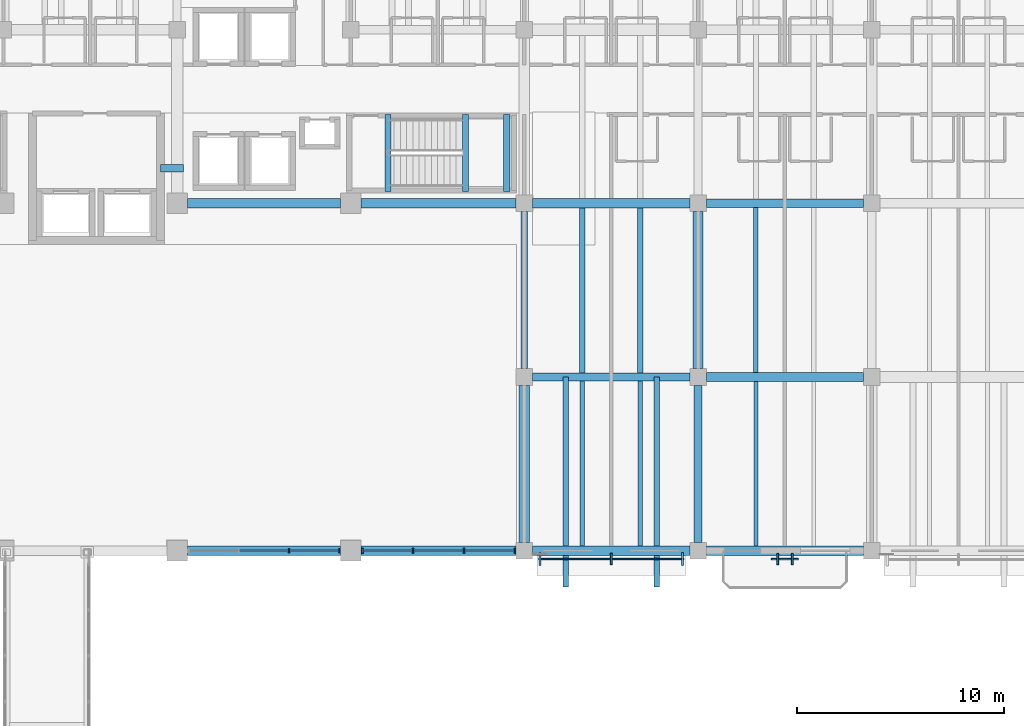
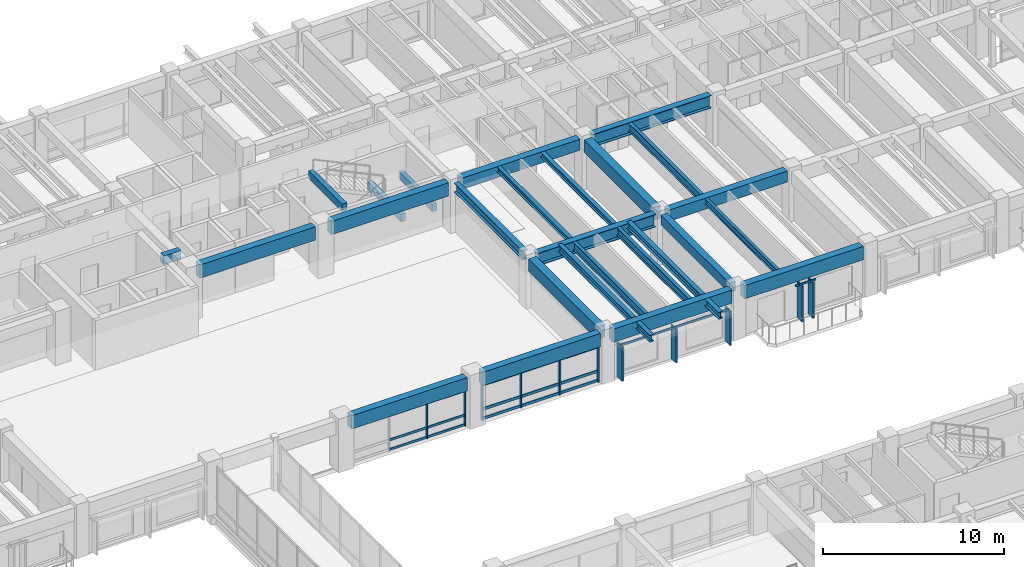
# One storey, part 30 of 118: 28 members, 26 beams, 4 elements without a shape of their own.
"""IFC4 building model written with IfcOpenShell, lengths in metres."""

import ifcopenshell
import ifcopenshell.guid

model = None  # the IFC model being written
_history = None  # IfcOwnerHistory: only IFC2X3 demands one
_inside = {}  # id of a spatial element -> (the spatial element, [elements in it])
_under = {}  # id of a project, library or spatial element -> (it, [spatial elements below it])
_declared = {}  # id of a project -> (the project, [libraries it declares])
_typed = {}  # id of a type object -> (the type object, [elements of that type])
_made_of = {}  # id of a material, layer set ... -> (it, [elements and type objects made of it])


def new_model(schema):
    """Start an empty IFC model of exactly this schema.

    Asked for "IFC4X3", IfcOpenShell would pick the latest addendum, in which some entities
    have other attributes; the version numbers below select the first issue.
    IFC2X3 requires an IfcOwnerHistory on every rooted entity: one is made here for all.
    """
    global model, _history
    if schema == "IFC4X3":
        model = ifcopenshell.file(schema_version=(4, 3, 0, 0))
    else:
        model = ifcopenshell.file(schema=schema)
    _inside.clear()
    _under.clear()
    _declared.clear()
    _typed.clear()
    _made_of.clear()
    _history = None
    if model.schema == "IFC2X3":
        org = make("IfcOrganization", Name="unknown")
        user = make(
            "IfcPersonAndOrganization",
            ThePerson=make("IfcPerson", FamilyName="unknown"),
            TheOrganization=org,
        )
        app = make(
            "IfcApplication",
            ApplicationDeveloper=org,
            Version="unknown",
            ApplicationFullName="unknown",
            ApplicationIdentifier="unknown",
        )
        _history = make(
            "IfcOwnerHistory",
            OwningUser=user,
            OwningApplication=app,
            ChangeAction="ADDED",
            CreationDate=0,
        )
    return model


def make(cls, **values):
    """One entity of the class cls with the attributes given. An attribute that is None is left unset."""
    return model.create_entity(
        cls, **{name: value for name, value in values.items() if value is not None}
    )


def rooted(cls, **values):
    """An entity with a GlobalId (a new one), such as an element, a storey or a relation."""
    return make(cls, GlobalId=ifcopenshell.guid.new(), OwnerHistory=_history, **values)


def si_unit(unit_type, name, prefix=None):
    """IfcSIUnit, for example si_unit("LENGTHUNIT", "METRE", prefix="MILLI")."""
    return make("IfcSIUnit", UnitType=unit_type, Prefix=prefix, Name=name)


def assignment(units):
    """IfcUnitAssignment: the units of a project."""
    return None if units is None else make("IfcUnitAssignment", Units=units)


def point(xyz):
    """IfcCartesianPoint."""
    return None if xyz is None else make("IfcCartesianPoint", Coordinates=xyz)


def direction(xyz):
    """IfcDirection."""
    return None if xyz is None else make("IfcDirection", DirectionRatios=xyz)


def frame(location, z_axis=None, x_axis=None):
    """IfcAxis2Placement3D, a coordinate frame: its origin and axes. An axis left out is left unset."""
    return make(
        "IfcAxis2Placement3D",
        Location=point(location),
        Axis=direction(z_axis),
        RefDirection=direction(x_axis),
    )


def frame_2d(location, x_axis=None):
    """IfcAxis2Placement2D, a coordinate frame in the plane: its origin and x axis."""
    return make(
        "IfcAxis2Placement2D", Location=point(location), RefDirection=direction(x_axis)
    )


def origin():
    """The frame at (0, 0, 0) with its axes left unset."""
    return frame((0.0, 0.0, 0.0))


def origin_2d():
    """The frame at (0, 0) in the plane with its x axis left unset."""
    return frame_2d((0.0, 0.0))


def place(relative_to, where):
    """IfcLocalPlacement: puts the frame where relative to a parent placement (None: the world)."""
    return make(
        "IfcLocalPlacement", PlacementRelTo=relative_to, RelativePlacement=where
    )


def context(
    kind, dimensions, precision=None, world=None, true_north=None, identifier=None
):
    """IfcGeometricRepresentationContext, for example the 3D "Model" context."""
    return make(
        "IfcGeometricRepresentationContext",
        ContextIdentifier=identifier,
        ContextType=kind,
        CoordinateSpaceDimension=dimensions,
        Precision=precision,
        WorldCoordinateSystem=world,
        TrueNorth=true_north,
    )


def subcontext(parent, identifier, kind, view, scale=None):
    """IfcGeometricRepresentationSubContext, for example "Body" below "Model"."""
    return make(
        "IfcGeometricRepresentationSubContext",
        ContextIdentifier=identifier,
        ContextType=kind,
        ParentContext=parent,
        TargetScale=scale,
        TargetView=view,
    )


def project(units=None, contexts=None):
    """IfcProject with its units and contexts."""
    return rooted(
        "IfcProject",
        Name="project",
        RepresentationContexts=contexts,
        UnitsInContext=assignment(units),
    )


def spatial(cls, under=None, at=None, **own):
    """A site, building, storey or space (cls), placed at a placement, below another one or the project."""
    s = rooted(cls, ObjectPlacement=at, **own)
    if under is not None:
        _under.setdefault(under.id(), (under, []))[1].append(s)
    return s


def profile(cls, at=None, kind="AREA", **sizes):
    """A parametric profile (cls). Its sizes go by their IFC names, for example OverallWidth=200.0."""
    return make(cls, ProfileType=kind, Position=at, **sizes)


def rectangle(**sizes):
    """IfcRectangleProfileDef."""
    return profile("IfcRectangleProfileDef", **sizes)


def i_section(**sizes):
    """IfcIShapeProfileDef."""
    return profile("IfcIShapeProfileDef", **sizes)


def extrude(swept, where, along, depth):
    """IfcExtrudedAreaSolid: the profile swept, set in the frame where, extruded along a direction by depth."""
    return make(
        "IfcExtrudedAreaSolid",
        SweptArea=swept,
        Position=where,
        ExtrudedDirection=direction(along),
        Depth=depth,
    )


def shape(context_of_items, identifier, shape_type, items):
    """IfcShapeRepresentation: the items that make up one representation, for example the "Body"."""
    return make(
        "IfcShapeRepresentation",
        ContextOfItems=context_of_items,
        RepresentationIdentifier=identifier,
        RepresentationType=shape_type,
        Items=items,
    )


def material(Name=None, Category=None):
    """IfcMaterial."""
    return make("IfcMaterial", Name=Name, Category=Category)


def material_profile(
    of_material, cross_section, Name=None, Category=None, Priority=None
):
    """IfcMaterialProfile: a cross section and its material."""
    return make(
        "IfcMaterialProfile",
        Name=Name,
        Material=of_material,
        Profile=cross_section,
        Priority=Priority,
        Category=Category,
    )


def profile_set(profiles, Name=None, composite=None):
    """IfcMaterialProfileSet."""
    return make(
        "IfcMaterialProfileSet",
        Name=Name,
        MaterialProfiles=profiles,
        CompositeProfile=composite,
    )


def made_of(thing, what):
    """Note that an element or type object is made of a material, layer set ...; save() writes the relation."""
    if what is not None:
        _made_of.setdefault(what.id(), (what, []))[1].append(thing)
    return thing


def type_object(cls, material=None, **own):
    """A type object (cls), such as IfcWallType, which elements share."""
    return made_of(rooted(cls, **own), material)


def element(
    cls,
    number,
    at=None,
    inside=None,
    cuts=None,
    type_object=None,
    material=None,
    context=None,
    identifier="Body",
    shape_type=None,
    held_by="IfcProductDefinitionShape",
    body=None,
    shapes=None,
    **own,
):
    """One element of the class cls, such as IfcWall. Its Tag is "e" and its number.

    at: its placement. inside: the storey or other place that contains it. cuts: it is an
    opening in that element (IfcRelVoidsElement). A single representation is given by context,
    identifier, shape_type and body (its items); several are given by shapes. held_by: the class
    of the entity that holds the representations. save() writes the other relations.
    """
    e = rooted(cls, Tag="e%d" % number, ObjectPlacement=at, **own)
    if body is not None:
        shapes = [shape(context, identifier, shape_type, body)]
    if shapes is not None:
        e.Representation = make(held_by, Representations=shapes)
    if inside is not None:
        _inside.setdefault(inside.id(), (inside, []))[1].append(e)
    if cuts is not None:
        rooted(
            "IfcRelVoidsElement", RelatingBuildingElement=cuts, RelatedOpeningElement=e
        )
    if type_object is not None:
        _typed.setdefault(type_object.id(), (type_object, []))[1].append(e)
    return made_of(e, material)


def aggregate(whole, parts):
    """IfcRelAggregates: a whole, such as a stair, and the parts it consists of."""
    return rooted("IfcRelAggregates", RelatingObject=whole, RelatedObjects=parts)


def save(model, path):
    """Write the relations noted so far, then the file.

    IfcRelAggregates (storeys below a building ...), IfcRelContainedInSpatialStructure (elements
    in a storey), IfcRelDefinesByType, IfcRelAssociatesMaterial and IfcRelDeclares: one each for
    every whole, place, type object, material and project.
    """
    for whole, parts in _under.values():
        aggregate(whole, parts)
    for where, things in _inside.values():
        rooted(
            "IfcRelContainedInSpatialStructure",
            RelatedElements=things,
            RelatingStructure=where,
        )
    for kind, things in _typed.values():
        rooted("IfcRelDefinesByType", RelatedObjects=things, RelatingType=kind)
    for what, things in _made_of.values():
        rooted("IfcRelAssociatesMaterial", RelatedObjects=things, RelatingMaterial=what)
    for by, libraries in _declared.values():
        rooted("IfcRelDeclares", RelatingContext=by, RelatedDefinitions=libraries)
    model.write(path)


model = new_model("IFC4")

# Units and contexts
model_context = context("Model", 3, precision=1e-05, world=origin(), true_north=direction((0.0, 1.0)))
body_context = subcontext(model_context, "Body", "Model", "MODEL_VIEW")
ifc_project = project(units=[si_unit("LENGTHUNIT", "METRE"), si_unit("AREAUNIT", "SQUARE_METRE"), si_unit("VOLUMEUNIT", "CUBIC_METRE"), si_unit("PLANEANGLEUNIT", "RADIAN"), si_unit("MASSUNIT", "GRAM", prefix="KILO")], contexts=[model_context])

# Site, building, storey
site_placement = place(None, origin())
site = spatial("IfcSite", under=ifc_project, at=site_placement, CompositionType="ELEMENT")
building_placement = place(site_placement, origin())
building = spatial("IfcBuilding", under=site, at=building_placement, Name="Cumbredor Promenade Congress Hotel", CompositionType="ELEMENT")
storey_placement = place(building_placement, frame((0.0, 0.0, 3.919921875)))
storey = spatial("IfcBuildingStorey", under=building, at=storey_placement, Name="L01", CompositionType="ELEMENT", Elevation=3.919921875)

# Beams
ifc_material_1 = material(Name="Concrete C40/50", Category="concrete")
ifc_material_profile_1 = material_profile(ifc_material_1, rectangle(XDim=0.39990234375, YDim=0.64990234375, at=origin_2d()), Name="RC BEAM 400x650")
ifc_profile_set_1 = profile_set([ifc_material_profile_1], Name="Concrete C40/50")
beam_type_1 = type_object("IfcBeamType", Name="BM-RC-400x650", PredefinedType="BEAM", material=ifc_profile_set_1)
beam_1_placement = place(storey_placement, frame((58.800048828125, 84.39990234375, 3.03515625), z_axis=(0.0, 1.0, 0.0), x_axis=(-1.0, 0.0, 0.0)))
element("IfcBeam", 1, at=beam_1_placement, inside=storey, type_object=beam_type_1, Name="L02 Y-Grid Beam 105", PredefinedType="BEAM", context=body_context, shape_type="SweptSolid", body=[
    extrude(rectangle(XDim=0.39990234375, YDim=0.64990234375, at=origin_2d()), origin(), (0.0, 0.0, 1.0), 7.60009765625),
])
ifc_material_profile_2 = material_profile(ifc_material_1, rectangle(XDim=0.449951171875, YDim=0.75, at=origin_2d()), Name="RC BEAM 450x750")
ifc_profile_set_2 = profile_set([ifc_material_profile_2], Name="Concrete C40/50")
beam_type_2 = type_object("IfcBeamType", Name="BM-RC-450x750", PredefinedType="BEAM", material=ifc_profile_set_2)
beam_2_placement = place(storey_placement, frame((50.800048828125, 100.800048828125, 2.985107421875), z_axis=(1.0, 0.0, 0.0), x_axis=(0.0, 1.0, 0.0)))
element("IfcBeam", 2, at=beam_2_placement, inside=storey, type_object=beam_type_2, Name="L02 X-Grid Beam 086", PredefinedType="BEAM", context=body_context, shape_type="SweptSolid", body=[
    extrude(rectangle(XDim=0.449951171875, YDim=0.75, at=origin_2d()), origin(), (0.0, 0.0, 1.0), 7.599853515625),
])
beam_3_placement = place(storey_placement, frame((59.199951171875, 92.39990234375, 2.985107421875), z_axis=(1.0, 0.0, 0.0), x_axis=(0.0, 1.0, 0.0)))
element("IfcBeam", 3, at=beam_3_placement, inside=storey, type_object=beam_type_2, Name="L02 X-Grid Beam 106", PredefinedType="BEAM", context=body_context, shape_type="SweptSolid", body=[
    extrude(rectangle(XDim=0.449951171875, YDim=0.75, at=origin_2d()), origin(), (0.0, 0.0, 1.0), 7.60009765625),
])
ifc_material_profile_3 = material_profile(ifc_material_1, rectangle(XDim=0.5, YDim=0.85009765625, at=origin_2d()), Name="RC BEAM 500x850")
ifc_profile_set_3 = profile_set([ifc_material_profile_3], Name="Concrete C40/50")
beam_type_3 = type_object("IfcBeamType", Name="BM-RC-500x850", PredefinedType="BEAM", material=ifc_profile_set_3)
beam_4_placement = place(storey_placement, frame((50.39990234375, 84.39990234375, 2.93505859375), z_axis=(0.0, 1.0, 0.0), x_axis=(-1.0, 0.0, 0.0)))
element("IfcBeam", 4, at=beam_4_placement, inside=storey, type_object=beam_type_3, Name="L02 Y-Grid Beam 083", PredefinedType="BEAM", context=body_context, shape_type="SweptSolid", body=[
    extrude(rectangle(XDim=0.5, YDim=0.85009765625, at=origin_2d()), origin(), (0.0, 0.0, 1.0), 7.60009765625),
])
beam_5_placement = place(storey_placement, frame((58.800048828125, 92.800048828125, 2.93505859375), z_axis=(0.0, 1.0, 0.0), x_axis=(-1.0, 0.0, 0.0)))
element("IfcBeam", 5, at=beam_5_placement, inside=storey, type_object=beam_type_3, Name="L02 Y-Grid Beam 107", PredefinedType="BEAM", context=body_context, shape_type="SweptSolid", body=[
    extrude(rectangle(XDim=0.5, YDim=0.85009765625, at=origin_2d()), origin(), (0.0, 0.0, 1.0), 7.599853515625),
])
ifc_material_2 = material(Name="Steel ASTM A992 Grade 50", Category="steel")
ifc_material_profile_4 = material_profile(ifc_material_2, i_section(OverallWidth=0.39990234375, OverallDepth=0.85498046875, WebThickness=0.018310546875, FlangeThickness=0.029296875, at=origin_2d()), Name="W33X201")
ifc_profile_set_4 = profile_set([ifc_material_profile_4], Name="Steel ASTM A992 Grade 50")
beam_type_4 = type_object("IfcBeamType", Name="BM-W33X201", PredefinedType="BEAM", material=ifc_profile_set_4)
beam_6_placement = place(storey_placement, frame((50.800048828125, 92.39990234375, 2.9326171875), z_axis=(1.0, 0.0, 0.0), x_axis=(0.0, 1.0, 0.0)))
element("IfcBeam", 6, at=beam_6_placement, inside=storey, type_object=beam_type_4, Name="L02 X-Grid Beam 084", PredefinedType="BEAM", context=body_context, shape_type="SweptSolid", body=[
    extrude(i_section(OverallWidth=0.39990234375, OverallDepth=0.85498046875, WebThickness=0.018310546875, FlangeThickness=0.029296875, at=origin_2d()), origin(), (0.0, 0.0, 1.0), 7.599853515625),
])
beam_7_placement = place(storey_placement, frame((59.199951171875, 100.800048828125, 2.9326171875), z_axis=(1.0, 0.0, 0.0), x_axis=(0.0, 1.0, 0.0)))
element("IfcBeam", 7, at=beam_7_placement, inside=storey, type_object=beam_type_4, Name="L02 X-Grid Beam 108", PredefinedType="BEAM", context=body_context, shape_type="SweptSolid", body=[
    extrude(i_section(OverallWidth=0.39990234375, OverallDepth=0.85498046875, WebThickness=0.018310546875, FlangeThickness=0.029296875, at=origin_2d()), origin(), (0.0, 0.0, 1.0), 7.60009765625),
])

# Curtain wall, members
ifc_material_3 = material(Name="Thermally broken anodized aluminium and low-E glass", Category="aluminium")
curtain_wall_type_1 = type_object("IfcCurtainWallType", Name="Unitised Bronze Curtain Wall CW-01", PredefinedType="NOTDEFINED", material=ifc_material_3)
curtain_wall_1_placement = place(storey_placement, origin())
curtain_wall_1 = element("IfcCurtainWall", 8, at=curtain_wall_1_placement, inside=storey, type_object=curtain_wall_type_1, Name="L01 Stepped Congress Hotel Wing South Curtain Wall 5", PredefinedType="NOTDEFINED")
ifc_material_4 = material(Name="Thermally broken anodized aluminium", Category="aluminium")
ifc_material_profile_5 = material_profile(ifc_material_4, rectangle(XDim=0.074951171875, YDim=0.199951171875, at=origin_2d()), Name="ALU MULLION 75x200")
ifc_profile_set_5 = profile_set([ifc_material_profile_5], Name="Thermally broken anodized aluminium")
member_type_1 = type_object("IfcMemberType", Name="Curtain Wall Mullion ML-02", PredefinedType="MULLION", material=ifc_profile_set_5)
member_1_placement = place(storey_placement, frame((39.014892578125, 84.0, -0.0078125), z_axis=(0.0, 0.0, 1.0), x_axis=(1.0, 0.0, 0.0)))
member_1 = element("IfcMember", 9, at=member_1_placement, type_object=member_type_1, Name="L01 Stepped Congress Hotel Wing South Curtain Wall 5 Mullion 3", PredefinedType="MULLION", context=body_context, shape_type="SweptSolid", body=[
    extrude(rectangle(XDim=0.074951171875, YDim=0.199951171875, at=origin_2d()), origin(), (0.0, 0.0, 1.0), 2.4609375),
])
member_2_placement = place(storey_placement, frame((41.445068359375, 84.0, -0.0078125), z_axis=(0.0, 0.0, 1.0), x_axis=(1.0, 0.0, 0.0)))
member_2 = element("IfcMember", 10, at=member_2_placement, type_object=member_type_1, Name="L01 Stepped Congress Hotel Wing South Curtain Wall 5 Mullion 4", PredefinedType="MULLION", context=body_context, shape_type="SweptSolid", body=[
    extrude(rectangle(XDim=0.074951171875, YDim=0.199951171875, at=origin_2d()), origin(), (0.0, 0.0, 1.0), 2.4609375),
])

curtain_wall_2_placement = place(storey_placement, origin())
curtain_wall_2 = element("IfcCurtainWall", 11, at=curtain_wall_2_placement, inside=storey, type_object=curtain_wall_type_1, Name="L01 Stepped Congress Hotel Wing South Curtain Wall 6", PredefinedType="NOTDEFINED")
ifc_material_profile_6 = material_profile(ifc_material_4, rectangle(XDim=0.080078125, YDim=0.239990234375, at=origin_2d()), Name="ALU MULLION 80x240")
ifc_profile_set_6 = profile_set([ifc_material_profile_6], Name="Thermally broken anodized aluminium")
member_type_2 = type_object("IfcMemberType", Name="Curtain Wall Mullion ML-03", PredefinedType="MULLION", material=ifc_profile_set_6)
member_3_placement = place(storey_placement, frame((42.554931640625, 84.0, -0.0078125), z_axis=(0.0, 0.0, 1.0), x_axis=(1.0, 0.0, 0.0)))
member_3 = element("IfcMember", 12, at=member_3_placement, type_object=member_type_2, Name="L01 Stepped Congress Hotel Wing South Curtain Wall 6 Mullion 1", PredefinedType="MULLION", context=body_context, shape_type="SweptSolid", body=[
    extrude(rectangle(XDim=0.080078125, YDim=0.239990234375, at=origin_2d()), origin(), (0.0, 0.0, 1.0), 2.4609375),
])
member_4_placement = place(storey_placement, frame((45.018310546875, 84.0, -0.0078125), z_axis=(0.0, 0.0, 1.0), x_axis=(1.0, 0.0, 0.0)))
member_4 = element("IfcMember", 13, at=member_4_placement, type_object=member_type_2, Name="L01 Stepped Congress Hotel Wing South Curtain Wall 6 Mullion 2", PredefinedType="MULLION", context=body_context, shape_type="SweptSolid", body=[
    extrude(rectangle(XDim=0.080078125, YDim=0.239990234375, at=origin_2d()), origin(), (0.0, 0.0, 1.0), 2.4609375),
])
member_5_placement = place(storey_placement, frame((47.481689453125, 84.0, -0.0078125), z_axis=(0.0, 0.0, 1.0), x_axis=(1.0, 0.0, 0.0)))
member_5 = element("IfcMember", 14, at=member_5_placement, type_object=member_type_2, Name="L01 Stepped Congress Hotel Wing South Curtain Wall 6 Mullion 3", PredefinedType="MULLION", context=body_context, shape_type="SweptSolid", body=[
    extrude(rectangle(XDim=0.080078125, YDim=0.239990234375, at=origin_2d()), origin(), (0.0, 0.0, 1.0), 2.4609375),
])
member_6_placement = place(storey_placement, frame((49.945068359375, 84.0, -0.0078125), z_axis=(0.0, 0.0, 1.0), x_axis=(1.0, 0.0, 0.0)))
member_6 = element("IfcMember", 15, at=member_6_placement, type_object=member_type_2, Name="L01 Stepped Congress Hotel Wing South Curtain Wall 6 Mullion 4", PredefinedType="MULLION", context=body_context, shape_type="SweptSolid", body=[
    extrude(rectangle(XDim=0.080078125, YDim=0.239990234375, at=origin_2d()), origin(), (0.0, 0.0, 1.0), 2.4609375),
])

# Curtain wall, member
curtain_wall_type_2 = type_object("IfcCurtainWallType", Name="Solar Brise-Soleil Screen Assembly CW-07", PredefinedType="NOTDEFINED", material=ifc_material_3)
curtain_wall_3_placement = place(storey_placement, origin())
curtain_wall_3 = element("IfcCurtainWall", 16, at=curtain_wall_3_placement, inside=storey, type_object=curtain_wall_type_2, Name="L01 Hospitality Brise-Soleil Screen 019", PredefinedType="NOTDEFINED")
ifc_material_profile_7 = material_profile(ifc_material_4, rectangle(XDim=0.06494140625, YDim=0.1298828125, at=origin_2d()), Name="ALU TRANSOM 65x130")
ifc_profile_set_7 = profile_set([ifc_material_profile_7], Name="Thermally broken anodized aluminium")
member_type_3 = type_object("IfcMemberType", Name="Curtain Wall Transom TR-01", PredefinedType="USERDEFINED", material=ifc_profile_set_7)
member_7_placement = place(storey_placement, frame((51.10107421875, 83.60009765625, 2.26513671875), z_axis=(1.0, 0.0, 0.0), x_axis=(0.0, 1.0, 0.0)))
member_7 = element("IfcMember", 17, at=member_7_placement, type_object=member_type_3, Name="L01 Brise-Soleil Screen Transom 019", ObjectType="TRANSOM", PredefinedType="USERDEFINED", context=body_context, shape_type="SweptSolid", body=[
    extrude(rectangle(XDim=0.06494140625, YDim=0.1298828125, at=origin_2d()), origin(), (0.0, 0.0, 1.0), 6.998046875),
])

curtain_wall_4_placement = place(storey_placement, origin())
curtain_wall_4 = element("IfcCurtainWall", 18, at=curtain_wall_4_placement, inside=storey, type_object=curtain_wall_type_2, Name="L01 Veranda Solar Brise-Soleil Screen 295", PredefinedType="NOTDEFINED")
member_8_placement = place(storey_placement, frame((62.35009765625, 83.590087890625, 2.364990234375), z_axis=(1.0, 0.0, 0.0), x_axis=(0.0, 1.0, 0.0)))
member_8 = element("IfcMember", 19, at=member_8_placement, type_object=member_type_3, Name="L01 Brise-Soleil Header Tie 0297", ObjectType="TRANSOM", PredefinedType="USERDEFINED", context=body_context, shape_type="SweptSolid", body=[
    extrude(rectangle(XDim=0.06494140625, YDim=0.1298828125, at=origin_2d()), origin(), (0.0, 0.0, 1.0), 1.2998046875),
])

# Member
ifc_material_profile_8 = material_profile(ifc_material_4, rectangle(XDim=0.074951171875, YDim=0.14990234375, at=origin_2d()), Name="ALU TRANSOM 75x150")
ifc_profile_set_8 = profile_set([ifc_material_profile_8], Name="Thermally broken anodized aluminium")
member_type_4 = type_object("IfcMemberType", Name="Curtain Wall Transom TR-02", PredefinedType="USERDEFINED", material=ifc_profile_set_8)
member_9_placement = place(storey_placement, frame((36.62255859375, 84.0, 0.080078125), z_axis=(1.0, 0.0, 0.0), x_axis=(0.0, 1.0, 0.0)))
member_9 = element("IfcMember", 20, at=member_9_placement, type_object=member_type_4, Name="L01 Stepped Congress Hotel Wing South Curtain Wall 5 Transom 2.1", ObjectType="TRANSOM", PredefinedType="USERDEFINED", context=body_context, shape_type="SweptSolid", body=[
    extrude(rectangle(XDim=0.074951171875, YDim=0.14990234375, at=origin_2d()), origin(), (0.0, 0.0, 1.0), 2.35498046875),
])

member_10_placement = place(storey_placement, frame((36.62255859375, 84.0, 0.719970703125), z_axis=(1.0, 0.0, 0.0), x_axis=(0.0, 1.0, 0.0)))
member_10 = element("IfcMember", 21, at=member_10_placement, type_object=member_type_4, Name="L01 Stepped Congress Hotel Wing South Curtain Wall 5 Transom 2.2", ObjectType="TRANSOM", PredefinedType="USERDEFINED", context=body_context, shape_type="SweptSolid", body=[
    extrude(rectangle(XDim=0.074951171875, YDim=0.14990234375, at=origin_2d()), origin(), (0.0, 0.0, 1.0), 2.35498046875),
])

member_11_placement = place(storey_placement, frame((36.62255859375, 84.0, 2.3701171875), z_axis=(1.0, 0.0, 0.0), x_axis=(0.0, 1.0, 0.0)))
member_11 = element("IfcMember", 22, at=member_11_placement, type_object=member_type_4, Name="L01 Stepped Congress Hotel Wing South Curtain Wall 5 Transom 2.3", ObjectType="TRANSOM", PredefinedType="USERDEFINED", context=body_context, shape_type="SweptSolid", body=[
    extrude(rectangle(XDim=0.074951171875, YDim=0.14990234375, at=origin_2d()), origin(), (0.0, 0.0, 1.0), 2.35498046875),
])

member_12_placement = place(storey_placement, frame((39.052490234375, 84.0, 0.080078125), z_axis=(1.0, 0.0, 0.0), x_axis=(0.0, 1.0, 0.0)))
member_12 = element("IfcMember", 23, at=member_12_placement, type_object=member_type_4, Name="L01 Stepped Congress Hotel Wing South Curtain Wall 5 Transom 3.1", ObjectType="TRANSOM", PredefinedType="USERDEFINED", context=body_context, shape_type="SweptSolid", body=[
    extrude(rectangle(XDim=0.074951171875, YDim=0.14990234375, at=origin_2d()), origin(), (0.0, 0.0, 1.0), 2.35498046875),
])

member_13_placement = place(storey_placement, frame((39.052490234375, 84.0, 0.719970703125), z_axis=(1.0, 0.0, 0.0), x_axis=(0.0, 1.0, 0.0)))
member_13 = element("IfcMember", 24, at=member_13_placement, type_object=member_type_4, Name="L01 Stepped Congress Hotel Wing South Curtain Wall 5 Transom 3.2", ObjectType="TRANSOM", PredefinedType="USERDEFINED", context=body_context, shape_type="SweptSolid", body=[
    extrude(rectangle(XDim=0.074951171875, YDim=0.14990234375, at=origin_2d()), origin(), (0.0, 0.0, 1.0), 2.35498046875),
])

member_14_placement = place(storey_placement, frame((39.052490234375, 84.0, 2.3701171875), z_axis=(1.0, 0.0, 0.0), x_axis=(0.0, 1.0, 0.0)))
member_14 = element("IfcMember", 25, at=member_14_placement, type_object=member_type_4, Name="L01 Stepped Congress Hotel Wing South Curtain Wall 5 Transom 3.3", ObjectType="TRANSOM", PredefinedType="USERDEFINED", context=body_context, shape_type="SweptSolid", body=[
    extrude(rectangle(XDim=0.074951171875, YDim=0.14990234375, at=origin_2d()), origin(), (0.0, 0.0, 1.0), 2.35498046875),
])

aggregate(curtain_wall_1, [member_1, member_2, member_9, member_10, member_11, member_12, member_13, member_14])

ifc_material_profile_9 = material_profile(ifc_material_4, rectangle(XDim=0.080078125, YDim=0.179931640625, at=origin_2d()), Name="ALU TRANSOM 80x180")
ifc_profile_set_9 = profile_set([ifc_material_profile_9], Name="Thermally broken anodized aluminium")
member_type_5 = type_object("IfcMemberType", Name="Curtain Wall Transom TR-03", PredefinedType="USERDEFINED", material=ifc_profile_set_9)
member_15_placement = place(storey_placement, frame((42.594970703125, 84.0, 0.090087890625), z_axis=(1.0, 0.0, 0.0), x_axis=(0.0, 1.0, 0.0)))
member_15 = element("IfcMember", 26, at=member_15_placement, type_object=member_type_5, Name="L01 Stepped Congress Hotel Wing South Curtain Wall 6 Transom 1.1", ObjectType="TRANSOM", PredefinedType="USERDEFINED", context=body_context, shape_type="SweptSolid", body=[
    extrude(rectangle(XDim=0.080078125, YDim=0.179931640625, at=origin_2d()), origin(), (0.0, 0.0, 1.0), 2.38330078125),
])

member_16_placement = place(storey_placement, frame((42.594970703125, 84.0, 0.719970703125), z_axis=(1.0, 0.0, 0.0), x_axis=(0.0, 1.0, 0.0)))
member_16 = element("IfcMember", 27, at=member_16_placement, type_object=member_type_5, Name="L01 Stepped Congress Hotel Wing South Curtain Wall 6 Transom 1.2", ObjectType="TRANSOM", PredefinedType="USERDEFINED", context=body_context, shape_type="SweptSolid", body=[
    extrude(rectangle(XDim=0.080078125, YDim=0.179931640625, at=origin_2d()), origin(), (0.0, 0.0, 1.0), 2.38330078125),
])

member_17_placement = place(storey_placement, frame((42.594970703125, 84.0, 2.360107421875), z_axis=(1.0, 0.0, 0.0), x_axis=(0.0, 1.0, 0.0)))
member_17 = element("IfcMember", 28, at=member_17_placement, type_object=member_type_5, Name="L01 Stepped Congress Hotel Wing South Curtain Wall 6 Transom 1.3", ObjectType="TRANSOM", PredefinedType="USERDEFINED", context=body_context, shape_type="SweptSolid", body=[
    extrude(rectangle(XDim=0.080078125, YDim=0.179931640625, at=origin_2d()), origin(), (0.0, 0.0, 1.0), 2.38330078125),
])

member_18_placement = place(storey_placement, frame((45.058349609375, 84.0, 0.090087890625), z_axis=(1.0, 0.0, 0.0), x_axis=(0.0, 1.0, 0.0)))
member_18 = element("IfcMember", 29, at=member_18_placement, type_object=member_type_5, Name="L01 Stepped Congress Hotel Wing South Curtain Wall 6 Transom 2.1", ObjectType="TRANSOM", PredefinedType="USERDEFINED", context=body_context, shape_type="SweptSolid", body=[
    extrude(rectangle(XDim=0.080078125, YDim=0.179931640625, at=origin_2d()), origin(), (0.0, 0.0, 1.0), 2.38330078125),
])

member_19_placement = place(storey_placement, frame((45.058349609375, 84.0, 0.719970703125), z_axis=(1.0, 0.0, 0.0), x_axis=(0.0, 1.0, 0.0)))
member_19 = element("IfcMember", 30, at=member_19_placement, type_object=member_type_5, Name="L01 Stepped Congress Hotel Wing South Curtain Wall 6 Transom 2.2", ObjectType="TRANSOM", PredefinedType="USERDEFINED", context=body_context, shape_type="SweptSolid", body=[
    extrude(rectangle(XDim=0.080078125, YDim=0.179931640625, at=origin_2d()), origin(), (0.0, 0.0, 1.0), 2.38330078125),
])

member_20_placement = place(storey_placement, frame((45.058349609375, 84.0, 2.360107421875), z_axis=(1.0, 0.0, 0.0), x_axis=(0.0, 1.0, 0.0)))
member_20 = element("IfcMember", 31, at=member_20_placement, type_object=member_type_5, Name="L01 Stepped Congress Hotel Wing South Curtain Wall 6 Transom 2.3", ObjectType="TRANSOM", PredefinedType="USERDEFINED", context=body_context, shape_type="SweptSolid", body=[
    extrude(rectangle(XDim=0.080078125, YDim=0.179931640625, at=origin_2d()), origin(), (0.0, 0.0, 1.0), 2.38330078125),
])

member_21_placement = place(storey_placement, frame((47.521728515625, 84.0, 0.090087890625), z_axis=(1.0, 0.0, 0.0), x_axis=(0.0, 1.0, 0.0)))
member_21 = element("IfcMember", 32, at=member_21_placement, type_object=member_type_5, Name="L01 Stepped Congress Hotel Wing South Curtain Wall 6 Transom 3.1", ObjectType="TRANSOM", PredefinedType="USERDEFINED", context=body_context, shape_type="SweptSolid", body=[
    extrude(rectangle(XDim=0.080078125, YDim=0.179931640625, at=origin_2d()), origin(), (0.0, 0.0, 1.0), 2.38330078125),
])

member_22_placement = place(storey_placement, frame((47.521728515625, 84.0, 0.719970703125), z_axis=(1.0, 0.0, 0.0), x_axis=(0.0, 1.0, 0.0)))
member_22 = element("IfcMember", 33, at=member_22_placement, type_object=member_type_5, Name="L01 Stepped Congress Hotel Wing South Curtain Wall 6 Transom 3.2", ObjectType="TRANSOM", PredefinedType="USERDEFINED", context=body_context, shape_type="SweptSolid", body=[
    extrude(rectangle(XDim=0.080078125, YDim=0.179931640625, at=origin_2d()), origin(), (0.0, 0.0, 1.0), 2.38330078125),
])

member_23_placement = place(storey_placement, frame((47.521728515625, 84.0, 2.360107421875), z_axis=(1.0, 0.0, 0.0), x_axis=(0.0, 1.0, 0.0)))
member_23 = element("IfcMember", 34, at=member_23_placement, type_object=member_type_5, Name="L01 Stepped Congress Hotel Wing South Curtain Wall 6 Transom 3.3", ObjectType="TRANSOM", PredefinedType="USERDEFINED", context=body_context, shape_type="SweptSolid", body=[
    extrude(rectangle(XDim=0.080078125, YDim=0.179931640625, at=origin_2d()), origin(), (0.0, 0.0, 1.0), 2.38330078125),
])

aggregate(curtain_wall_2, [member_3, member_4, member_5, member_6, member_15, member_16, member_17, member_18, member_19, member_20, member_21, member_22, member_23])

# Beams
ifc_material_profile_10 = material_profile(ifc_material_2, i_section(OverallWidth=0.2548828125, OverallDepth=0.35693359375, WebThickness=0.010498046875, FlangeThickness=0.018310546875, at=origin_2d()), Name="W14X68")
ifc_profile_set_10 = profile_set([ifc_material_profile_10], Name="Steel ASTM A992 Grade 50")
beam_type_5 = type_object("IfcBeamType", Name="JST-W14X68", PredefinedType="JOIST", material=ifc_profile_set_10)
for number, where, z_axis, x_axis, name in (
    (35, (53.199951171875, 92.60009765625, 3.181640625), (0.0, 1.0, 0.0), (-1.0, 0.0, 0.0), "L02 Secondary Floor Joist 0038"),
    (36, (56.0, 92.60009765625, 3.181640625), (0.0, 1.0, 0.0), (-1.0, 0.0, 0.0), "L02 Secondary Floor Joist 0039"),
):
    element("IfcBeam", number, at=place(storey_placement, frame(where, z_axis=z_axis, x_axis=x_axis)), inside=storey, type_object=beam_type_5, Name=name, PredefinedType="JOIST", context=body_context, shape_type="SweptSolid", body=[
        extrude(i_section(OverallWidth=0.2548828125, OverallDepth=0.35693359375, WebThickness=0.010498046875, FlangeThickness=0.018310546875, at=origin_2d()), origin(), (0.0, 0.0, 1.0), 7.974853515625),
    ])
ifc_material_profile_11 = material_profile(ifc_material_2, i_section(OverallWidth=0.180908203125, OverallDepth=0.4169921875, WebThickness=0.010986328125, FlangeThickness=0.018310546875, at=origin_2d()), Name="W16X57")
ifc_profile_set_11 = profile_set([ifc_material_profile_11], Name="Steel ASTM A992 Grade 50")
beam_type_6 = type_object("IfcBeamType", Name="JST-W16X57", PredefinedType="JOIST", material=ifc_profile_set_11)
beam_8_placement = place(storey_placement, frame((61.60009765625, 84.22509765625, 3.151611328125), z_axis=(0.0, 1.0, 0.0), x_axis=(-1.0, 0.0, 0.0)))
element("IfcBeam", 37, at=beam_8_placement, inside=storey, type_object=beam_type_6, Name="L02 Secondary Floor Joist 0054", PredefinedType="JOIST", context=body_context, shape_type="SweptSolid", body=[
    extrude(i_section(OverallWidth=0.180908203125, OverallDepth=0.4169921875, WebThickness=0.010986328125, FlangeThickness=0.018310546875, at=origin_2d()), origin(), (0.0, 0.0, 1.0), 7.949951171875),
])
ifc_material_profile_12 = material_profile(ifc_material_2, i_section(OverallWidth=0.280029296875, OverallDepth=0.462890625, WebThickness=0.0107421875, FlangeThickness=0.017333984375, at=origin_2d()), Name="W18X76")
ifc_profile_set_12 = profile_set([ifc_material_profile_12], Name="Steel ASTM A992 Grade 50")
beam_type_7 = type_object("IfcBeamType", Name="JST-W18X76", PredefinedType="JOIST", material=ifc_profile_set_12)
for number, where, z_axis, x_axis, name in (
    (38, (52.39990234375, 82.25, 3.128662109375), (0.0, 1.0, 0.0), (-1.0, 0.0, 0.0), "L02 Balcony Back-Spanned Outrigger Beam 010.1"),
    (39, (56.800048828125, 82.25, 3.128662109375), (0.0, 1.0, 0.0), (-1.0, 0.0, 0.0), "L02 Balcony Back-Spanned Outrigger Beam 010.2"),
):
    element("IfcBeam", number, at=place(storey_placement, frame(where, z_axis=z_axis, x_axis=x_axis)), inside=storey, type_object=beam_type_7, Name=name, PredefinedType="JOIST", context=body_context, shape_type="SweptSolid", body=[
        extrude(i_section(OverallWidth=0.280029296875, OverallDepth=0.462890625, WebThickness=0.0107421875, FlangeThickness=0.017333984375, at=origin_2d()), origin(), (0.0, 0.0, 1.0), 10.14990234375),
    ])
ifc_material_profile_13 = material_profile(ifc_material_2, i_section(OverallWidth=0.214111328125, OverallDepth=0.549072265625, WebThickness=0.0146484375, FlangeThickness=0.023681640625, at=origin_2d()), Name="W21X93")
ifc_profile_set_13 = profile_set([ifc_material_profile_13], Name="Steel ASTM A992 Grade 50")
beam_type_8 = type_object("IfcBeamType", Name="JST-W21X93", PredefinedType="JOIST", material=ifc_profile_set_13)
for number, where, z_axis, x_axis, name in (
    (40, (53.199951171875, 84.22509765625, 3.085693359375), (0.0, 1.0, 0.0), (-1.0, 0.0, 0.0), "L02 Secondary Floor Joist 0036"),
    (41, (56.0, 84.22509765625, 3.085693359375), (0.0, 1.0, 0.0), (-1.0, 0.0, 0.0), "L02 Secondary Floor Joist 0037"),
):
    element("IfcBeam", number, at=place(storey_placement, frame(where, z_axis=z_axis, x_axis=x_axis)), inside=storey, type_object=beam_type_8, Name=name, PredefinedType="JOIST", context=body_context, shape_type="SweptSolid", body=[
        extrude(i_section(OverallWidth=0.214111328125, OverallDepth=0.549072265625, WebThickness=0.0146484375, FlangeThickness=0.023681640625, at=origin_2d()), origin(), (0.0, 0.0, 1.0), 7.974853515625),
    ])
beam_9_placement = place(storey_placement, frame((61.60009765625, 92.625, 3.085693359375), z_axis=(0.0, 1.0, 0.0), x_axis=(-1.0, 0.0, 0.0)))
element("IfcBeam", 42, at=beam_9_placement, inside=storey, type_object=beam_type_8, Name="L02 Secondary Floor Joist 0056", PredefinedType="JOIST", context=body_context, shape_type="SweptSolid", body=[
    extrude(i_section(OverallWidth=0.214111328125, OverallDepth=0.549072265625, WebThickness=0.0146484375, FlangeThickness=0.023681640625, at=origin_2d()), origin(), (0.0, 0.0, 1.0), 7.97509765625),
])
ifc_material_profile_14 = material_profile(ifc_material_1, rectangle(XDim=0.300048828125, YDim=0.5, at=origin_2d()), Name="RC LINTEL 300x500")
ifc_profile_set_14 = profile_set([ifc_material_profile_14], Name="Concrete C40/50")
beam_type_9 = type_object("IfcBeamType", Name="LN-RC-300x500", PredefinedType="LINTEL", material=ifc_profile_set_14)
for number, where, z_axis, x_axis, name in (
    (43, (49.550048828125, 101.3701171875, 1.3701171875), (0.0, 1.0, 0.0), (-1.0, 0.0, 0.0), "L01 Stair ST-03 Landing Ledger Beam E"),
    (44, (47.550048828125, 101.3701171875, 1.3701171875), (0.0, 1.0, 0.0), (-1.0, 0.0, 0.0), "L01 Stair ST-03 Landing Ledger Beam W"),
    (45, (43.800048828125, 101.3701171875, 3.39013671875), (0.0, 1.0, 0.0), (-1.0, 0.0, 0.0), "L02 Stair ST-03 Well Header Trimmer Beam"),
):
    element("IfcBeam", number, at=place(storey_placement, frame(where, z_axis=z_axis, x_axis=x_axis)), inside=storey, type_object=beam_type_9, Name=name, PredefinedType="LINTEL", context=body_context, shape_type="SweptSolid", body=[
        extrude(rectangle(XDim=0.300048828125, YDim=0.5, at=origin_2d()), origin(), (0.0, 0.0, 1.0), 3.72998046875),
    ])
ifc_material_profile_15 = material_profile(ifc_material_1, rectangle(XDim=0.35009765625, YDim=0.60009765625, at=origin_2d()), Name="RC LINTEL 350x600")
ifc_profile_set_15 = profile_set([ifc_material_profile_15], Name="Concrete C40/50")
beam_type_10 = type_object("IfcBeamType", Name="LN-RC-350x600", PredefinedType="LINTEL", material=ifc_profile_set_15)
beam_10_placement = place(storey_placement, frame((32.800048828125, 102.5, 3.06005859375), z_axis=(1.0, 0.0, 0.0), x_axis=(0.0, 1.0, 0.0)))
element("IfcBeam", 46, at=beam_10_placement, inside=storey, type_object=beam_type_10, Name="L01 Core Coupling Lintel Beam", PredefinedType="LINTEL", context=body_context, shape_type="SweptSolid", body=[
    extrude(rectangle(XDim=0.35009765625, YDim=0.60009765625, at=origin_2d()), origin(), (0.0, 0.0, 1.0), 1.099853515625),
])
ifc_material_profile_16 = material_profile(ifc_material_1, rectangle(XDim=0.449951171875, YDim=0.89990234375, at=origin_2d()), Name="RC SPANDREL 450x900")
ifc_profile_set_16 = profile_set([ifc_material_profile_16], Name="Concrete C40/50")
beam_type_11 = type_object("IfcBeamType", Name="SP-RC-450x900", PredefinedType="SPANDREL", material=ifc_profile_set_16)
for number, where, z_axis, x_axis, name in (
    (47, (34.10009765625, 84.0, 2.91015625), (1.0, 0.0, 0.0), (0.0, 1.0, 0.0), "L02 X-Grid Beam 062"),
    (48, (34.10009765625, 100.800048828125, 2.91015625), (1.0, 0.0, 0.0), (0.0, 1.0, 0.0), "L02 X-Grid Beam 063"),
):
    element("IfcBeam", number, at=place(storey_placement, frame(where, z_axis=z_axis, x_axis=x_axis)), inside=storey, type_object=beam_type_11, Name=name, PredefinedType="SPANDREL", context=body_context, shape_type="SweptSolid", body=[
        extrude(rectangle(XDim=0.449951171875, YDim=0.89990234375, at=origin_2d()), origin(), (0.0, 0.0, 1.0), 7.39990234375),
    ])
for number, where, z_axis, x_axis, name in (
    (49, (42.5, 84.0, 2.91015625), (1.0, 0.0, 0.0), (0.0, 1.0, 0.0), "L02 X-Grid Beam 071"),
    (50, (42.5, 100.800048828125, 2.91015625), (1.0, 0.0, 0.0), (0.0, 1.0, 0.0), "L02 X-Grid Beam 072"),
):
    element("IfcBeam", number, at=place(storey_placement, frame(where, z_axis=z_axis, x_axis=x_axis)), inside=storey, type_object=beam_type_11, Name=name, PredefinedType="SPANDREL", context=body_context, shape_type="SweptSolid", body=[
        extrude(rectangle(XDim=0.449951171875, YDim=0.89990234375, at=origin_2d()), origin(), (0.0, 0.0, 1.0), 7.5),
    ])
beam_11_placement = place(storey_placement, frame((50.800048828125, 84.0, 2.91015625), z_axis=(1.0, 0.0, 0.0), x_axis=(0.0, 1.0, 0.0)))
element("IfcBeam", 51, at=beam_11_placement, inside=storey, type_object=beam_type_11, Name="L02 X-Grid Beam 082", PredefinedType="SPANDREL", context=body_context, shape_type="SweptSolid", body=[
    extrude(rectangle(XDim=0.449951171875, YDim=0.89990234375, at=origin_2d()), origin(), (0.0, 0.0, 1.0), 7.599853515625),
])
beam_12_placement = place(storey_placement, frame((59.199951171875, 84.0, 2.91015625), z_axis=(1.0, 0.0, 0.0), x_axis=(0.0, 1.0, 0.0)))
element("IfcBeam", 52, at=beam_12_placement, inside=storey, type_object=beam_type_11, Name="L02 X-Grid Beam 104", PredefinedType="SPANDREL", context=body_context, shape_type="SweptSolid", body=[
    extrude(rectangle(XDim=0.449951171875, YDim=0.89990234375, at=origin_2d()), origin(), (0.0, 0.0, 1.0), 7.60009765625),
])
ifc_material_profile_17 = material_profile(ifc_material_2, i_section(OverallWidth=0.323974609375, OverallDepth=0.611083984375, WebThickness=0.0126953125, FlangeThickness=0.01904296875, at=origin_2d()), Name="W24X104")
ifc_profile_set_17 = profile_set([ifc_material_profile_17], Name="Steel ASTM A992 Grade 50")
beam_type_12 = type_object("IfcBeamType", Name="SP-W24X104", PredefinedType="SPANDREL", material=ifc_profile_set_17)
beam_13_placement = place(storey_placement, frame((50.39990234375, 92.800048828125, 3.0546875), z_axis=(0.0, 1.0, 0.0), x_axis=(-1.0, 0.0, 0.0)))
element("IfcBeam", 53, at=beam_13_placement, inside=storey, type_object=beam_type_12, Name="L02 Y-Grid Beam 085", PredefinedType="SPANDREL", context=body_context, shape_type="SweptSolid", body=[
    extrude(i_section(OverallWidth=0.323974609375, OverallDepth=0.611083984375, WebThickness=0.0126953125, FlangeThickness=0.01904296875, at=origin_2d()), origin(), (0.0, 0.0, 1.0), 7.599853515625),
])

# Member
ifc_material_profile_18 = material_profile(ifc_material_4, rectangle(XDim=0.110107421875, YDim=0.6201171875, at=origin_2d()), Name="ARCH FIN 110x620")
ifc_profile_set_18 = profile_set([ifc_material_profile_18], Name="Thermally broken anodized aluminium")
member_type_6 = type_object("IfcMemberType", Name="Vertical Bronze Brise-Soleil Fin BSF-02 110x620", PredefinedType="USERDEFINED", material=ifc_profile_set_18)
member_24_placement = place(storey_placement, frame((51.15087890625, 83.60009765625, 0.02001953125), z_axis=(0.0, 0.0, 1.0), x_axis=(1.0, 0.0, 0.0)))
member_24 = element("IfcMember", 54, at=member_24_placement, type_object=member_type_6, Name="L01 Vertical Brise-Soleil Fin 0292", ObjectType="SOLAR FIN", PredefinedType="USERDEFINED", context=body_context, shape_type="SweptSolid", body=[
    extrude(rectangle(XDim=0.110107421875, YDim=0.6201171875, at=origin_2d()), origin(), (0.0, 0.0, 1.0), 2.30517578125),
])

member_25_placement = place(storey_placement, frame((58.049072265625, 83.60009765625, 0.02001953125), z_axis=(0.0, 0.0, 1.0), x_axis=(1.0, 0.0, 0.0)))
member_25 = element("IfcMember", 55, at=member_25_placement, type_object=member_type_6, Name="L01 Vertical Brise-Soleil Fin 0294", ObjectType="SOLAR FIN", PredefinedType="USERDEFINED", context=body_context, shape_type="SweptSolid", body=[
    extrude(rectangle(XDim=0.110107421875, YDim=0.6201171875, at=origin_2d()), origin(), (0.0, 0.0, 1.0), 2.30517578125),
])

ifc_material_5 = material(Name="Kiln-dried tropical hardwood", Category="wood")
ifc_material_profile_19 = material_profile(ifc_material_5, rectangle(XDim=0.090087890625, YDim=0.550048828125, at=origin_2d()), Name="ARCH FIN 90x550")
ifc_profile_set_19 = profile_set([ifc_material_profile_19], Name="Kiln-dried tropical hardwood")
member_type_7 = type_object("IfcMemberType", Name="Vertical Hardwood Brise-Soleil Fin BSF-01 90x550", PredefinedType="USERDEFINED", material=ifc_profile_set_19)
member_26_placement = place(storey_placement, frame((54.60009765625, 83.60009765625, 0.02001953125), z_axis=(0.0, 0.0, 1.0), x_axis=(1.0, 0.0, 0.0)))
member_26 = element("IfcMember", 56, at=member_26_placement, type_object=member_type_7, Name="L01 Vertical Brise-Soleil Fin 0293", ObjectType="SOLAR FIN", PredefinedType="USERDEFINED", context=body_context, shape_type="SweptSolid", body=[
    extrude(rectangle(XDim=0.090087890625, YDim=0.550048828125, at=origin_2d()), origin(), (0.0, 0.0, 1.0), 2.30517578125),
])

aggregate(curtain_wall_3, [member_7, member_24, member_26, member_25])

member_27_placement = place(storey_placement, frame((62.64990234375, 83.590087890625, -0.010009765625), z_axis=(0.0, 0.0, 1.0), x_axis=(1.0, 0.0, 0.0)))
member_27 = element("IfcMember", 57, at=member_27_placement, type_object=member_type_7, Name="L01 Vertical Hardwood Brise-Soleil Fin 0296", ObjectType="SOLAR FIN", PredefinedType="USERDEFINED", context=body_context, shape_type="SweptSolid", body=[
    extrude(rectangle(XDim=0.090087890625, YDim=0.550048828125, at=origin_2d()), origin(), (0.0, 0.0, 1.0), 2.43505859375),
])

member_28_placement = place(storey_placement, frame((63.35009765625, 83.590087890625, -0.010009765625), z_axis=(0.0, 0.0, 1.0), x_axis=(1.0, 0.0, 0.0)))
member_28 = element("IfcMember", 58, at=member_28_placement, type_object=member_type_7, Name="L01 Vertical Hardwood Brise-Soleil Fin 0297", ObjectType="SOLAR FIN", PredefinedType="USERDEFINED", context=body_context, shape_type="SweptSolid", body=[
    extrude(rectangle(XDim=0.090087890625, YDim=0.550048828125, at=origin_2d()), origin(), (0.0, 0.0, 1.0), 2.43505859375),
])

aggregate(curtain_wall_4, [member_27, member_28, member_8])

save(model, "model.ifc")
